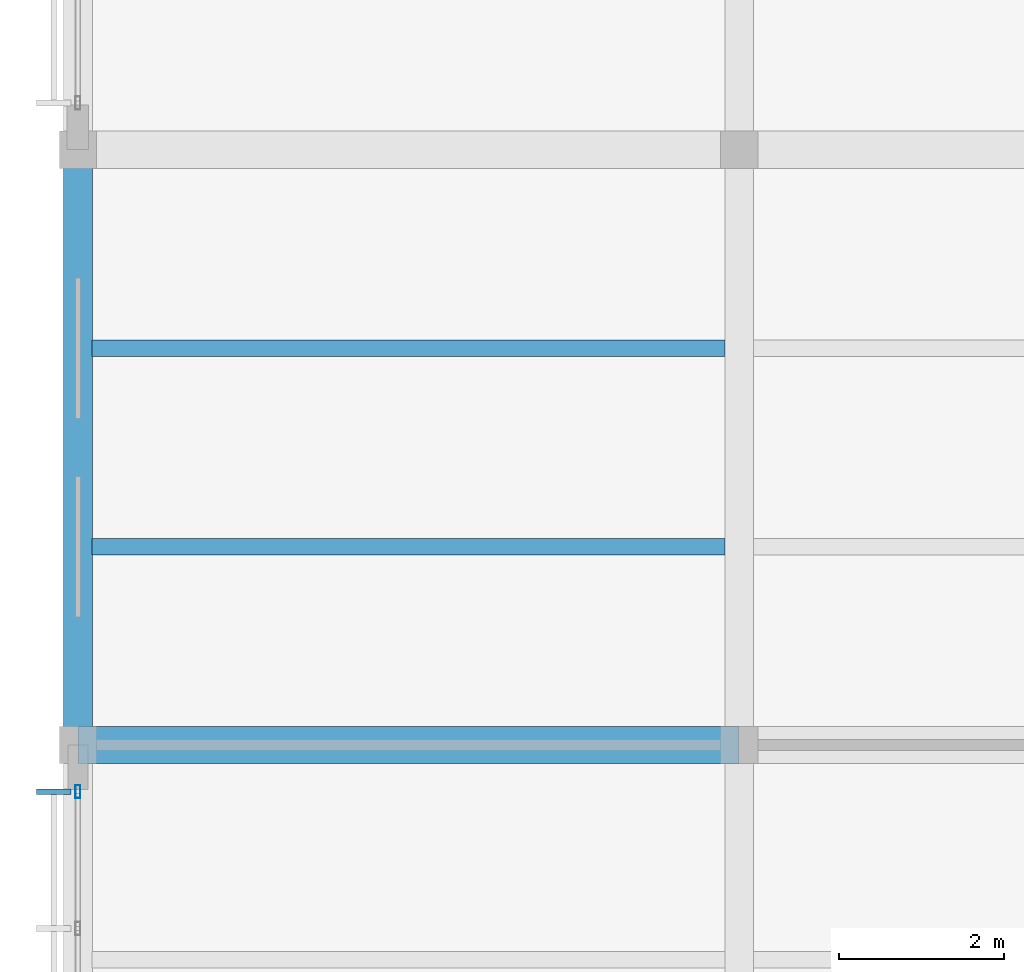
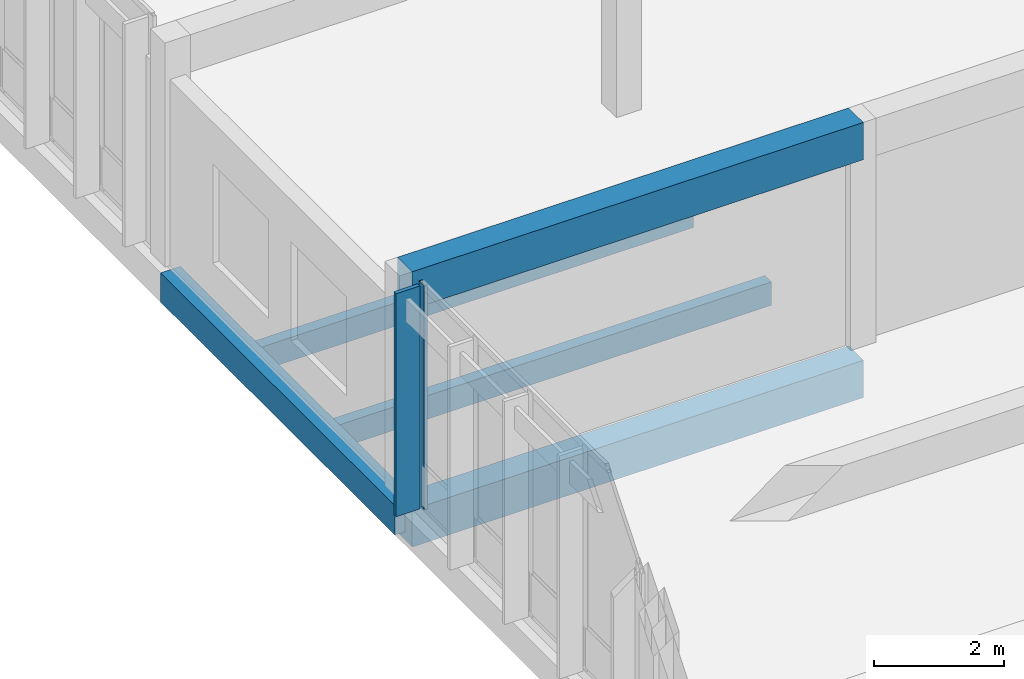
# One storey, part 21 of 107: 5 beams, 2 members, 1 element without a shape of its own.
"""IFC4 building model written with IfcOpenShell, lengths in metres."""

from ifc_helpers import new_model, si_unit, direction, frame, origin, origin_2d, place, context, subcontext, project, spatial, rectangle, hollow_rectangle, extrude, material, material_profile, profile_set, type_object, element, aggregate, save


model = new_model("IFC4")

# Units and contexts
model_context = context("Model", 3, precision=1e-05, world=origin(), true_north=direction((0.0, 1.0)))
body_context = subcontext(model_context, "Body", "Model", "MODEL_VIEW")
ifc_project = project(units=[si_unit("LENGTHUNIT", "METRE"), si_unit("AREAUNIT", "SQUARE_METRE"), si_unit("VOLUMEUNIT", "CUBIC_METRE"), si_unit("PLANEANGLEUNIT", "RADIAN"), si_unit("MASSUNIT", "GRAM", prefix="KILO")], contexts=[model_context])

# Site, building, storey
site_placement = place(None, origin())
site = spatial("IfcSite", under=ifc_project, at=site_placement, CompositionType="ELEMENT")
building_placement = place(site_placement, origin())
building = spatial("IfcBuilding", under=site, at=building_placement, Name="Chiffa Square Polytechnic", CompositionType="ELEMENT")
storey_placement = place(building_placement, frame((0.0, 0.0, 13.800048828125)))
storey = spatial("IfcBuildingStorey", under=building, at=storey_placement, Name="L03", CompositionType="ELEMENT", Elevation=13.800048828125)

# Beams
ifc_material_1 = material(Name="Concrete C35/45", Category="concrete")
ifc_material_profile_1 = material_profile(ifc_material_1, rectangle(XDim=0.35009765625, YDim=0.550048828125, at=origin_2d()), Name="RC 350x550")
ifc_profile_set_1 = profile_set([ifc_material_profile_1], Name="Concrete C35/45")
beam_type_1 = type_object("IfcBeamType", Name="BM-RC-350X550", PredefinedType="BEAM", material=ifc_profile_set_1)
beam_placement = place(storey_placement, frame((0.0, 65.39990234375, -0.53515625), z_axis=(0.0, 1.0, 0.0), x_axis=(-1.0, 0.0, 0.0)))
element("IfcBeam", 1, at=beam_placement, inside=storey, type_object=beam_type_1, Name="Primary floor girder BM-V6-L03-Y-0000-0654", PredefinedType="BEAM", context=body_context, shape_type="SweptSolid", body=[
    extrude(rectangle(XDim=0.35009765625, YDim=0.550048828125, at=origin_2d()), origin(), (0.0, 0.0, 1.0), 7.2001953125),
])
ifc_material_profile_2 = material_profile(ifc_material_1, rectangle(XDim=0.449951171875, YDim=0.699951171875, at=origin_2d()), Name="RC 450x700")
ifc_profile_set_2 = profile_set([ifc_material_profile_2], Name="Concrete C35/45")
beam_type_2 = type_object("IfcBeamType", Name="BM-RC-450X700", PredefinedType="BEAM", material=ifc_profile_set_2)
for number, where, z_axis, x_axis, name in (
    (2, (0.0, 65.39990234375, -0.610107421875), (1.0, 0.0, 0.0), (0.0, 1.0, 0.0), "Primary floor girder BM-V6-L03-X-0000-0654"),
    (3, (0.0, 65.39990234375, 3.849853515625), (1.0, 0.0, 0.0), (0.0, 1.0, 0.0), "Sawtooth monitor sill beam BM-V6-SAWTIE-Y4-1"),
):
    element("IfcBeam", number, at=place(storey_placement, frame(where, z_axis=z_axis, x_axis=x_axis)), inside=storey, type_object=beam_type_2, Name=name, PredefinedType="BEAM", context=body_context, shape_type="SweptSolid", body=[
        extrude(rectangle(XDim=0.449951171875, YDim=0.699951171875, at=origin_2d()), origin(), (0.0, 0.0, 1.0), 8.0),
    ])

# Curtain wall, members
ifc_material_2 = material(Name="Aluminium EN AW-6060 T66 and glulam shading", Category="wood")
curtain_wall_type = type_object("IfcCurtainWallType", Name="CW-VERT-300X380", PredefinedType="USERDEFINED", material=ifc_material_2)
curtain_wall_placement = place(storey_placement, origin())
curtain_wall = element("IfcCurtainWall", 4, at=curtain_wall_placement, inside=storey, type_object=curtain_wall_type, Name="Curtain wall CW-V6-L03-275", ObjectType="CURTAIN WALL", PredefinedType="USERDEFINED")
ifc_material_3 = material(Name="Aluminium EN AW-6060 T66", Category="aluminium")
ifc_material_profile_3 = material_profile(ifc_material_3, hollow_rectangle(XDim=0.06005859375, YDim=0.159912109375, WallThickness=0.00390625, at=origin_2d()), Name="ALU 60x160x4")
ifc_profile_set_3 = profile_set([ifc_material_profile_3], Name="Aluminium EN AW-6060 T66")
member_type_1 = type_object("IfcMemberType", Name="CWM-ALU-65X150", PredefinedType="MULLION", material=ifc_profile_set_3)
member_1_placement = place(storey_placement, frame((0.0, 64.8349609375, 0.0), z_axis=(0.0, 0.0, 1.0), x_axis=(1.0, 0.0, 0.0)))
member_1 = element("IfcMember", 5, at=member_1_placement, type_object=member_type_1, Name="Curtain wall mullion CW-V6-L03-275-M00", PredefinedType="MULLION", context=body_context, shape_type="SweptSolid", body=[
    extrude(hollow_rectangle(XDim=0.06005859375, YDim=0.159912109375, WallThickness=0.00390625, at=origin_2d()), origin(), (0.0, 0.0, 1.0), 4.199951171875),
])
ifc_material_4 = material(Name="Glulam GL28h", Category="wood")
ifc_material_profile_4 = material_profile(ifc_material_4, rectangle(XDim=0.070068359375, YDim=0.419921875, at=origin_2d()), Name="GL28h 70x420")
ifc_profile_set_4 = profile_set([ifc_material_profile_4], Name="Glulam GL28h")
member_type_2 = type_object("IfcMemberType", Name="CWM-GL-70X420", PredefinedType="MULLION", material=ifc_profile_set_4)
member_2_placement = place(storey_placement, frame((-0.2919921875, 64.8349609375, 0.010009765625), z_axis=(0.0, 0.0, 1.0), x_axis=(0.0, -1.0, 0.0)))
member_2 = element("IfcMember", 6, at=member_2_placement, type_object=member_type_2, Name="Exterior glulam solar fin CW-V6-L03-275-FN00", PredefinedType="MULLION", context=body_context, shape_type="SweptSolid", body=[
    extrude(rectangle(XDim=0.070068359375, YDim=0.419921875, at=origin_2d()), origin(), (0.0, 0.0, 1.0), 4.179931640625),
])
aggregate(curtain_wall, [member_1, member_2])

# Beams
ifc_material_profile_5 = material_profile(ifc_material_4, rectangle(XDim=0.199951171875, YDim=0.43994140625, at=origin_2d()), Name="GL28h 200x440")
ifc_profile_set_5 = profile_set([ifc_material_profile_5], Name="Glulam GL28h")
beam_type_3 = type_object("IfcBeamType", Name="JST-GL-200X440", PredefinedType="JOIST", material=ifc_profile_set_5)
for number, where, z_axis, x_axis, name in (
    (7, (0.173095703125, 67.800048828125, -0.47998046875), (1.0, 0.0, 0.0), (0.0, 1.0, 0.0), "Secondary floor joist JST-V6-L03-0000-0678"),
    (8, (0.173095703125, 70.199951171875, -0.47998046875), (1.0, 0.0, 0.0), (0.0, 1.0, 0.0), "Secondary floor joist JST-V6-L03-0000-0702"),
):
    element("IfcBeam", number, at=place(storey_placement, frame(where, z_axis=z_axis, x_axis=x_axis)), inside=storey, type_object=beam_type_3, Name=name, PredefinedType="JOIST", context=body_context, shape_type="SweptSolid", body=[
        extrude(rectangle(XDim=0.199951171875, YDim=0.43994140625, at=origin_2d()), origin(), (0.0, 0.0, 1.0), 7.65380859375),
    ])

save(model, "model.ifc")
